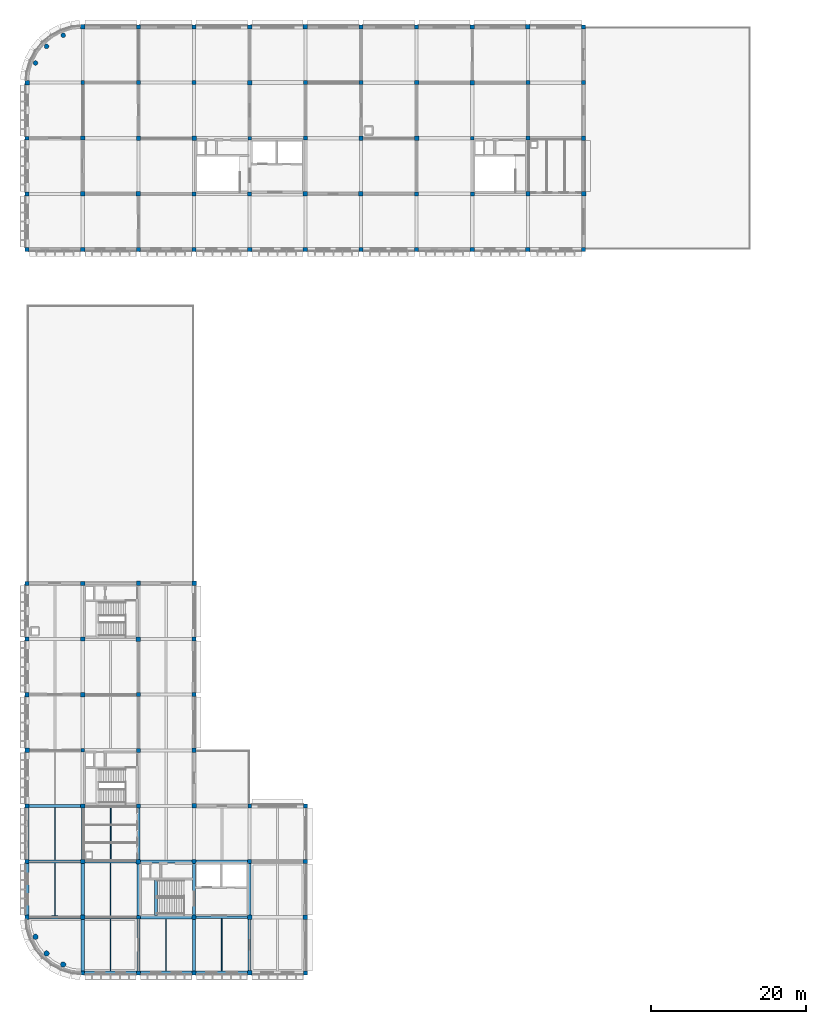
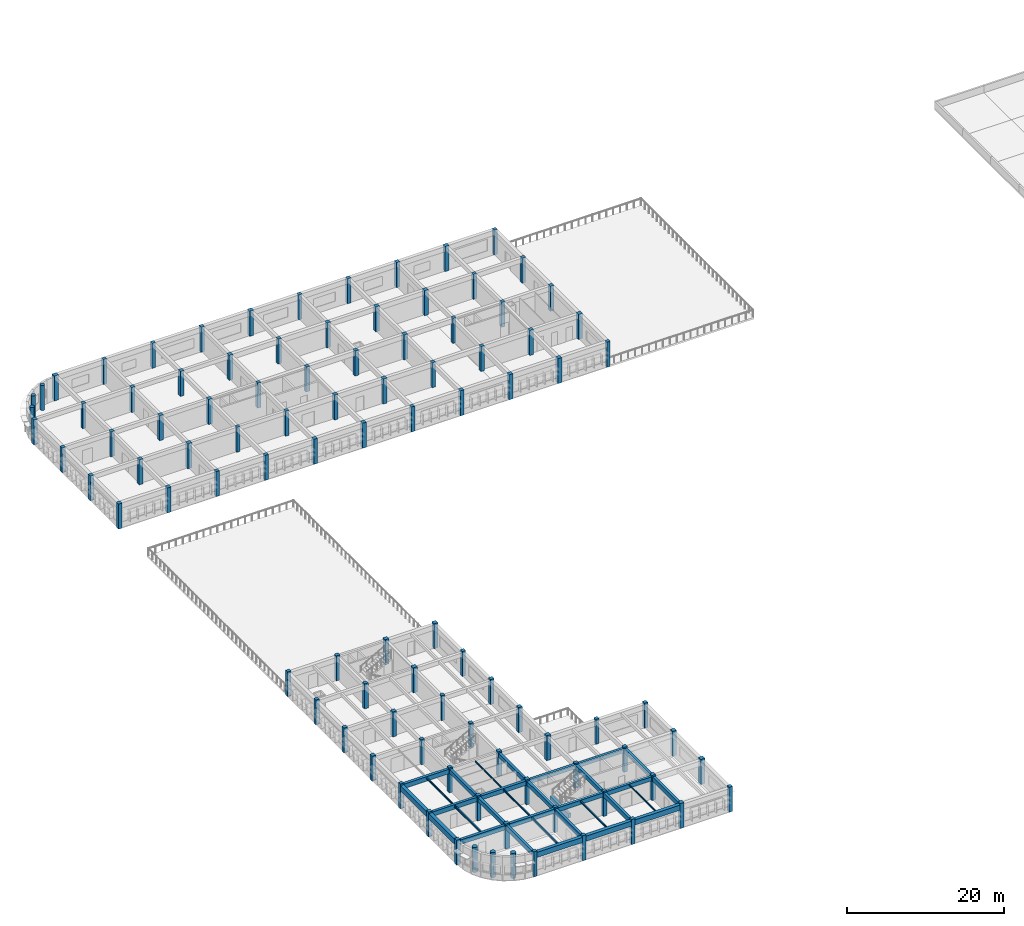
# One storey, part 1 of 22: 99 columns, 32 beams.
"""IFC4 building model written with IfcOpenShell, lengths in metres."""

from ifc_helpers import new_model, si_unit, direction, frame, origin, origin_2d, place, context, subcontext, project, spatial, rectangle, circle, i_section, extrude, material, material_profile, profile_set, type_object, element, save


model = new_model("IFC4")

# Units and contexts
model_context = context("Model", 3, precision=1e-05, world=origin(), true_north=direction((0.0, 1.0)))
body_context = subcontext(model_context, "Body", "Model", "MODEL_VIEW")
ifc_project = project(units=[si_unit("LENGTHUNIT", "METRE"), si_unit("AREAUNIT", "SQUARE_METRE"), si_unit("VOLUMEUNIT", "CUBIC_METRE"), si_unit("PLANEANGLEUNIT", "RADIAN"), si_unit("MASSUNIT", "GRAM", prefix="KILO")], contexts=[model_context])

# Site, building, storey
site_placement = place(None, origin())
site = spatial("IfcSite", under=ifc_project, at=site_placement, CompositionType="ELEMENT")
building_placement = place(site_placement, origin())
building = spatial("IfcBuilding", under=site, at=building_placement, Name="Thalmaran Polytechnic", CompositionType="ELEMENT")
storey_placement = place(building_placement, frame((0.0, 0.0, 22.800048828125)))
storey = spatial("IfcBuildingStorey", under=building, at=storey_placement, Name="L05", CompositionType="ELEMENT", Elevation=22.800048828125)

# Columns
ifc_material_1 = material(Name="Concrete C40/50", Category="concrete")
ifc_material_profile_1 = material_profile(ifc_material_1, rectangle(XDim=0.550048828125, YDim=0.550048828125, at=origin_2d()), Name="RC 550x550")
ifc_profile_set_1 = profile_set([ifc_material_profile_1], Name="Concrete C40/50")
column_type_1 = type_object("IfcColumnType", Name="COL-C08", PredefinedType="COLUMN", material=ifc_profile_set_1)
for number, where, z_axis, x_axis, name in (
    (1, (0.0, 7.199951171875, 0.0), (0.0, 0.0, 1.0), (1.0, 0.0, 0.0), "Column C08 L05 (0,1)"),
    (2, (0.0, 36.0, 0.0), (0.0, 0.0, 1.0), (1.0, 0.0, 0.0), "Column C08 L05 (0,5)"),
    (3, (0.0, 93.60009765625, 0.0), (0.0, 0.0, 1.0), (1.0, 0.0, 0.0), "Column C08 L05 (0,13)"),
    (4, (7.199951171875, 14.39990234375, 0.0), (0.0, 0.0, 1.0), (1.0, 0.0, 0.0), "Column C08 L05 (1,2)"),
    (5, (7.199951171875, 43.199951171875, 0.0), (0.0, 0.0, 1.0), (1.0, 0.0, 0.0), "Column C08 L05 (1,6)"),
    (6, (7.199951171875, 100.800048828125, 0.0), (0.0, 0.0, 1.0), (1.0, 0.0, 0.0), "Column C08 L05 (1,14)"),
    (7, (14.39990234375, 21.60009765625, 0.0), (0.0, 0.0, 1.0), (1.0, 0.0, 0.0), "Column C08 L05 (2,3)"),
    (8, (14.39990234375, 50.39990234375, 0.0), (0.0, 0.0, 1.0), (1.0, 0.0, 0.0), "Column C08 L05 (2,7)"),
    (9, (14.39990234375, 108.0, 0.0), (0.0, 0.0, 1.0), (1.0, 0.0, 0.0), "Column C08 L05 (2,15)"),
    (10, (21.60009765625, 0.0, 0.0), (0.0, 0.0, 1.0), (1.0, 0.0, 0.0), "Column C08 L05 (3,0)"),
    (11, (21.60009765625, 28.800048828125, 0.0), (0.0, 0.0, 1.0), (1.0, 0.0, 0.0), "Column C08 L05 (3,4)"),
    (12, (21.60009765625, 115.199951171875, 0.0), (0.0, 0.0, 1.0), (1.0, 0.0, 0.0), "Column C08 L05 (3,16)"),
    (13, (28.800048828125, 7.199951171875, 0.0), (0.0, 0.0, 1.0), (1.0, 0.0, 0.0), "Column C08 L05 (4,1)"),
    (14, (28.800048828125, 93.60009765625, 0.0), (0.0, 0.0, 1.0), (1.0, 0.0, 0.0), "Column C08 L05 (4,13)"),
    (15, (28.800048828125, 122.39990234375, 0.0), (0.0, 0.0, 1.0), (1.0, 0.0, 0.0), "Column C08 L05 (4,17)"),
    (16, (36.0, 14.39990234375, 0.0), (0.0, 0.0, 1.0), (1.0, 0.0, 0.0), "Column C08 L05 (5,2)"),
    (17, (36.0, 100.800048828125, 0.0), (0.0, 0.0, 1.0), (1.0, 0.0, 0.0), "Column C08 L05 (5,14)"),
    (18, (43.199951171875, 108.0, 0.0), (0.0, 0.0, 1.0), (1.0, 0.0, 0.0), "Column C08 L05 (6,15)"),
    (19, (50.39990234375, 115.199951171875, 0.0), (0.0, 0.0, 1.0), (1.0, 0.0, 0.0), "Column C08 L05 (7,16)"),
    (20, (57.60009765625, 93.60009765625, 0.0), (0.0, 0.0, 1.0), (1.0, 0.0, 0.0), "Column C08 L05 (8,13)"),
    (21, (57.60009765625, 122.39990234375, 0.0), (0.0, 0.0, 1.0), (1.0, 0.0, 0.0), "Column C08 L05 (8,17)"),
    (22, (64.800048828125, 100.800048828125, 0.0), (0.0, 0.0, 1.0), (1.0, 0.0, 0.0), "Column C08 L05 (9,14)"),
    (23, (72.0, 108.0, 0.0), (0.0, 0.0, 1.0), (1.0, 0.0, 0.0), "Column C08 L05 (10,15)"),
):
    element("IfcColumn", number, at=place(storey_placement, frame(where, z_axis=z_axis, x_axis=x_axis)), inside=storey, type_object=column_type_1, Name=name, PredefinedType="COLUMN", context=body_context, shape_type="SweptSolid", body=[
        extrude(rectangle(XDim=0.550048828125, YDim=0.550048828125, at=origin_2d()), origin(), (0.0, 0.0, 1.0), 3.89990234375),
    ])
ifc_material_profile_2 = material_profile(ifc_material_1, rectangle(XDim=0.5, YDim=0.5, at=origin_2d()), Name="RC 500x500")
ifc_profile_set_2 = profile_set([ifc_material_profile_2], Name="Concrete C40/50")
column_type_2 = type_object("IfcColumnType", Name="COL-C09", PredefinedType="COLUMN", material=ifc_profile_set_2)
for number, where, z_axis, x_axis, name in (
    (24, (0.0, 21.60009765625, 0.0), (0.0, 0.0, 1.0), (1.0, 0.0, 0.0), "Column C09 L05 (0,3)"),
    (25, (0.0, 50.39990234375, 0.0), (0.0, 0.0, 1.0), (1.0, 0.0, 0.0), "Column C09 L05 (0,7)"),
    (26, (0.0, 108.0, 0.0), (0.0, 0.0, 1.0), (1.0, 0.0, 0.0), "Column C09 L05 (0,15)"),
    (27, (7.199951171875, 0.0, 0.0), (0.0, 0.0, 1.0), (1.0, 0.0, 0.0), "Column C09 L05 (1,0)"),
    (28, (7.199951171875, 28.800048828125, 0.0), (0.0, 0.0, 1.0), (1.0, 0.0, 0.0), "Column C09 L05 (1,4)"),
    (29, (7.199951171875, 115.199951171875, 0.0), (0.0, 0.0, 1.0), (1.0, 0.0, 0.0), "Column C09 L05 (1,16)"),
    (30, (14.39990234375, 7.199951171875, 0.0), (0.0, 0.0, 1.0), (1.0, 0.0, 0.0), "Column C09 L05 (2,1)"),
    (31, (14.39990234375, 36.0, 0.0), (0.0, 0.0, 1.0), (1.0, 0.0, 0.0), "Column C09 L05 (2,5)"),
    (32, (14.39990234375, 93.60009765625, 0.0), (0.0, 0.0, 1.0), (1.0, 0.0, 0.0), "Column C09 L05 (2,13)"),
    (33, (14.39990234375, 122.39990234375, 0.0), (0.0, 0.0, 1.0), (1.0, 0.0, 0.0), "Column C09 L05 (2,17)"),
    (34, (21.60009765625, 14.39990234375, 0.0), (0.0, 0.0, 1.0), (1.0, 0.0, 0.0), "Column C09 L05 (3,2)"),
    (35, (21.60009765625, 43.199951171875, 0.0), (0.0, 0.0, 1.0), (1.0, 0.0, 0.0), "Column C09 L05 (3,6)"),
    (36, (21.60009765625, 100.800048828125, 0.0), (0.0, 0.0, 1.0), (1.0, 0.0, 0.0), "Column C09 L05 (3,14)"),
    (37, (28.800048828125, 21.60009765625, 0.0), (0.0, 0.0, 1.0), (1.0, 0.0, 0.0), "Column C09 L05 (4,3)"),
    (38, (28.800048828125, 108.0, 0.0), (0.0, 0.0, 1.0), (1.0, 0.0, 0.0), "Column C09 L05 (4,15)"),
    (39, (36.0, 0.0, 0.0), (0.0, 0.0, 1.0), (1.0, 0.0, 0.0), "Column C09 L05 (5,0)"),
    (40, (36.0, 115.199951171875, 0.0), (0.0, 0.0, 1.0), (1.0, 0.0, 0.0), "Column C09 L05 (5,16)"),
    (41, (43.199951171875, 93.60009765625, 0.0), (0.0, 0.0, 1.0), (1.0, 0.0, 0.0), "Column C09 L05 (6,13)"),
    (42, (43.199951171875, 122.39990234375, 0.0), (0.0, 0.0, 1.0), (1.0, 0.0, 0.0), "Column C09 L05 (6,17)"),
    (43, (50.39990234375, 100.800048828125, 0.0), (0.0, 0.0, 1.0), (1.0, 0.0, 0.0), "Column C09 L05 (7,14)"),
    (44, (57.60009765625, 108.0, 0.0), (0.0, 0.0, 1.0), (1.0, 0.0, 0.0), "Column C09 L05 (8,15)"),
    (45, (64.800048828125, 115.199951171875, 0.0), (0.0, 0.0, 1.0), (1.0, 0.0, 0.0), "Column C09 L05 (9,16)"),
    (46, (72.0, 93.60009765625, 0.0), (0.0, 0.0, 1.0), (1.0, 0.0, 0.0), "Column C09 L05 (10,13)"),
    (47, (72.0, 122.39990234375, 0.0), (0.0, 0.0, 1.0), (1.0, 0.0, 0.0), "Column C09 L05 (10,17)"),
):
    element("IfcColumn", number, at=place(storey_placement, frame(where, z_axis=z_axis, x_axis=x_axis)), inside=storey, type_object=column_type_2, Name=name, PredefinedType="COLUMN", context=body_context, shape_type="SweptSolid", body=[
        extrude(rectangle(XDim=0.5, YDim=0.5, at=origin_2d()), origin(), (0.0, 0.0, 1.0), 3.89990234375),
    ])
ifc_material_profile_3 = material_profile(ifc_material_1, circle(Radius=0.35009765625, at=origin_2d()), Name="RC 700 DIA")
ifc_profile_set_3 = profile_set([ifc_material_profile_3], Name="Concrete C40/50")
column_type_3 = type_object("IfcColumnType", Name="COL-C15", PredefinedType="COLUMN", material=ifc_profile_set_3)
for number, where, z_axis, x_axis, name in (
    (48, (1.083984375, 4.666748046875, 0.0), (0.0, 0.0, 1.0), (1.0, 0.0, 0.0), "Prow Column SWP1 L05"),
    (49, (2.51904296875, 2.51904296875, 0.0), (0.0, 0.0, 1.0), (1.0, 0.0, 0.0), "Prow Column SWP2 L05"),
    (50, (4.666748046875, 1.083984375, 0.0), (0.0, 0.0, 1.0), (1.0, 0.0, 0.0), "Prow Column SWP3 L05"),
):
    element("IfcColumn", number, at=place(storey_placement, frame(where, z_axis=z_axis, x_axis=x_axis)), inside=storey, type_object=column_type_3, Name=name, PredefinedType="COLUMN", context=body_context, shape_type="SweptSolid", body=[
        extrude(circle(Radius=0.35009765625, at=origin_2d()), origin(), (0.0, 0.0, 1.0), 3.89990234375),
    ])
ifc_material_profile_4 = material_profile(ifc_material_1, circle(Radius=0.300048828125, at=origin_2d()), Name="RC 600 DIA")
ifc_profile_set_4 = profile_set([ifc_material_profile_4], Name="Concrete C40/50")
column_type_4 = type_object("IfcColumnType", Name="COL-C16", PredefinedType="COLUMN", material=ifc_profile_set_4)
for number, where, z_axis, x_axis, name in (
    (51, (4.666748046875, 121.316162109375, 0.0), (0.0, 0.0, 1.0), (1.0, 0.0, 0.0), "Prow Column NWP1 L05"),
    (52, (2.51904296875, 119.881103515625, 0.0), (0.0, 0.0, 1.0), (1.0, 0.0, 0.0), "Prow Column NWP2 L05"),
    (53, (1.083984375, 117.7333984375, 0.0), (0.0, 0.0, 1.0), (1.0, 0.0, 0.0), "Prow Column NWP3 L05"),
):
    element("IfcColumn", number, at=place(storey_placement, frame(where, z_axis=z_axis, x_axis=x_axis)), inside=storey, type_object=column_type_4, Name=name, PredefinedType="COLUMN", context=body_context, shape_type="SweptSolid", body=[
        extrude(circle(Radius=0.300048828125, at=origin_2d()), origin(), (0.0, 0.0, 1.0), 3.89990234375),
    ])
ifc_material_profile_5 = material_profile(ifc_material_1, rectangle(XDim=0.580078125, YDim=0.580078125, at=origin_2d()), Name="RC 580x580")
ifc_profile_set_5 = profile_set([ifc_material_profile_5], Name="Concrete C40/50")
column_type_5 = type_object("IfcColumnType", Name="COL-ZC07", PredefinedType="COLUMN", material=ifc_profile_set_5)
for number, where, z_axis, x_axis, name in (
    (54, (0.0, 28.800048828125, 0.0), (0.0, 0.0, 1.0), (1.0, 0.0, 0.0), "Column ZC07 L05 (0,4)"),
    (55, (0.0, 115.199951171875, 0.0), (0.0, 0.0, 1.0), (1.0, 0.0, 0.0), "Column ZC07 L05 (0,16)"),
    (56, (7.199951171875, 7.199951171875, 0.0), (0.0, 0.0, 1.0), (1.0, 0.0, 0.0), "Column ZC07 L05 (1,1)"),
    (57, (7.199951171875, 36.0, 0.0), (0.0, 0.0, 1.0), (1.0, 0.0, 0.0), "Column ZC07 L05 (1,5)"),
    (58, (7.199951171875, 93.60009765625, 0.0), (0.0, 0.0, 1.0), (1.0, 0.0, 0.0), "Column ZC07 L05 (1,13)"),
    (59, (7.199951171875, 122.39990234375, 0.0), (0.0, 0.0, 1.0), (1.0, 0.0, 0.0), "Column ZC07 L05 (1,17)"),
    (60, (14.39990234375, 14.39990234375, 0.0), (0.0, 0.0, 1.0), (1.0, 0.0, 0.0), "Column ZC07 L05 (2,2)"),
    (61, (14.39990234375, 43.199951171875, 0.0), (0.0, 0.0, 1.0), (1.0, 0.0, 0.0), "Column ZC07 L05 (2,6)"),
    (62, (14.39990234375, 100.800048828125, 0.0), (0.0, 0.0, 1.0), (1.0, 0.0, 0.0), "Column ZC07 L05 (2,14)"),
    (63, (21.60009765625, 21.60009765625, 0.0), (0.0, 0.0, 1.0), (1.0, 0.0, 0.0), "Column ZC07 L05 (3,3)"),
    (64, (21.60009765625, 50.39990234375, 0.0), (0.0, 0.0, 1.0), (1.0, 0.0, 0.0), "Column ZC07 L05 (3,7)"),
    (65, (21.60009765625, 108.0, 0.0), (0.0, 0.0, 1.0), (1.0, 0.0, 0.0), "Column ZC07 L05 (3,15)"),
    (66, (28.800048828125, 0.0, 0.0), (0.0, 0.0, 1.0), (1.0, 0.0, 0.0), "Column ZC07 L05 (4,0)"),
    (67, (28.800048828125, 115.199951171875, 0.0), (0.0, 0.0, 1.0), (1.0, 0.0, 0.0), "Column ZC07 L05 (4,16)"),
    (68, (36.0, 7.199951171875, 0.0), (0.0, 0.0, 1.0), (1.0, 0.0, 0.0), "Column ZC07 L05 (5,1)"),
    (69, (36.0, 93.60009765625, 0.0), (0.0, 0.0, 1.0), (1.0, 0.0, 0.0), "Column ZC07 L05 (5,13)"),
    (70, (36.0, 122.39990234375, 0.0), (0.0, 0.0, 1.0), (1.0, 0.0, 0.0), "Column ZC07 L05 (5,17)"),
    (71, (43.199951171875, 100.800048828125, 0.0), (0.0, 0.0, 1.0), (1.0, 0.0, 0.0), "Column ZC07 L05 (6,14)"),
    (72, (50.39990234375, 108.0, 0.0), (0.0, 0.0, 1.0), (1.0, 0.0, 0.0), "Column ZC07 L05 (7,15)"),
    (73, (57.60009765625, 115.199951171875, 0.0), (0.0, 0.0, 1.0), (1.0, 0.0, 0.0), "Column ZC07 L05 (8,16)"),
    (74, (64.800048828125, 93.60009765625, 0.0), (0.0, 0.0, 1.0), (1.0, 0.0, 0.0), "Column ZC07 L05 (9,13)"),
    (75, (64.800048828125, 122.39990234375, 0.0), (0.0, 0.0, 1.0), (1.0, 0.0, 0.0), "Column ZC07 L05 (9,17)"),
    (76, (72.0, 100.800048828125, 0.0), (0.0, 0.0, 1.0), (1.0, 0.0, 0.0), "Column ZC07 L05 (10,14)"),
):
    element("IfcColumn", number, at=place(storey_placement, frame(where, z_axis=z_axis, x_axis=x_axis)), inside=storey, type_object=column_type_5, Name=name, PredefinedType="COLUMN", context=body_context, shape_type="SweptSolid", body=[
        extrude(rectangle(XDim=0.580078125, YDim=0.580078125, at=origin_2d()), origin(), (0.0, 0.0, 1.0), 3.89990234375),
    ])
ifc_material_profile_6 = material_profile(ifc_material_1, rectangle(XDim=0.52001953125, YDim=0.52001953125, at=origin_2d()), Name="RC 520x520")
ifc_profile_set_6 = profile_set([ifc_material_profile_6], Name="Concrete C40/50")
column_type_6 = type_object("IfcColumnType", Name="COL-ZC08", PredefinedType="COLUMN", material=ifc_profile_set_6)
for number, where, z_axis, x_axis, name in (
    (77, (0.0, 14.39990234375, 0.0), (0.0, 0.0, 1.0), (1.0, 0.0, 0.0), "Column ZC08 L05 (0,2)"),
    (78, (0.0, 43.199951171875, 0.0), (0.0, 0.0, 1.0), (1.0, 0.0, 0.0), "Column ZC08 L05 (0,6)"),
    (79, (0.0, 100.800048828125, 0.0), (0.0, 0.0, 1.0), (1.0, 0.0, 0.0), "Column ZC08 L05 (0,14)"),
    (80, (7.199951171875, 21.60009765625, 0.0), (0.0, 0.0, 1.0), (1.0, 0.0, 0.0), "Column ZC08 L05 (1,3)"),
    (81, (7.199951171875, 50.39990234375, 0.0), (0.0, 0.0, 1.0), (1.0, 0.0, 0.0), "Column ZC08 L05 (1,7)"),
    (82, (7.199951171875, 108.0, 0.0), (0.0, 0.0, 1.0), (1.0, 0.0, 0.0), "Column ZC08 L05 (1,15)"),
    (83, (14.39990234375, 0.0, 0.0), (0.0, 0.0, 1.0), (1.0, 0.0, 0.0), "Column ZC08 L05 (2,0)"),
    (84, (14.39990234375, 28.800048828125, 0.0), (0.0, 0.0, 1.0), (1.0, 0.0, 0.0), "Column ZC08 L05 (2,4)"),
    (85, (14.39990234375, 115.199951171875, 0.0), (0.0, 0.0, 1.0), (1.0, 0.0, 0.0), "Column ZC08 L05 (2,16)"),
    (86, (21.60009765625, 7.199951171875, 0.0), (0.0, 0.0, 1.0), (1.0, 0.0, 0.0), "Column ZC08 L05 (3,1)"),
    (87, (21.60009765625, 36.0, 0.0), (0.0, 0.0, 1.0), (1.0, 0.0, 0.0), "Column ZC08 L05 (3,5)"),
    (88, (21.60009765625, 93.60009765625, 0.0), (0.0, 0.0, 1.0), (1.0, 0.0, 0.0), "Column ZC08 L05 (3,13)"),
    (89, (21.60009765625, 122.39990234375, 0.0), (0.0, 0.0, 1.0), (1.0, 0.0, 0.0), "Column ZC08 L05 (3,17)"),
    (90, (28.800048828125, 14.39990234375, 0.0), (0.0, 0.0, 1.0), (1.0, 0.0, 0.0), "Column ZC08 L05 (4,2)"),
    (91, (28.800048828125, 100.800048828125, 0.0), (0.0, 0.0, 1.0), (1.0, 0.0, 0.0), "Column ZC08 L05 (4,14)"),
    (92, (36.0, 21.60009765625, 0.0), (0.0, 0.0, 1.0), (1.0, 0.0, 0.0), "Column ZC08 L05 (5,3)"),
    (93, (36.0, 108.0, 0.0), (0.0, 0.0, 1.0), (1.0, 0.0, 0.0), "Column ZC08 L05 (5,15)"),
    (94, (43.199951171875, 115.199951171875, 0.0), (0.0, 0.0, 1.0), (1.0, 0.0, 0.0), "Column ZC08 L05 (6,16)"),
    (95, (50.39990234375, 93.60009765625, 0.0), (0.0, 0.0, 1.0), (1.0, 0.0, 0.0), "Column ZC08 L05 (7,13)"),
    (96, (50.39990234375, 122.39990234375, 0.0), (0.0, 0.0, 1.0), (1.0, 0.0, 0.0), "Column ZC08 L05 (7,17)"),
    (97, (57.60009765625, 100.800048828125, 0.0), (0.0, 0.0, 1.0), (1.0, 0.0, 0.0), "Column ZC08 L05 (8,14)"),
    (98, (64.800048828125, 108.0, 0.0), (0.0, 0.0, 1.0), (1.0, 0.0, 0.0), "Column ZC08 L05 (9,15)"),
    (99, (72.0, 115.199951171875, 0.0), (0.0, 0.0, 1.0), (1.0, 0.0, 0.0), "Column ZC08 L05 (10,16)"),
):
    element("IfcColumn", number, at=place(storey_placement, frame(where, z_axis=z_axis, x_axis=x_axis)), inside=storey, type_object=column_type_6, Name=name, PredefinedType="COLUMN", context=body_context, shape_type="SweptSolid", body=[
        extrude(rectangle(XDim=0.52001953125, YDim=0.52001953125, at=origin_2d()), origin(), (0.0, 0.0, 1.0), 3.89990234375),
    ])

# Beams
ifc_material_profile_7 = material_profile(ifc_material_1, rectangle(XDim=0.39990234375, YDim=0.699951171875, at=origin_2d()), Name="RC 400x700")
ifc_profile_set_7 = profile_set([ifc_material_profile_7], Name="Concrete C40/50")
beam_type_1 = type_object("IfcBeamType", Name="BM-RC05", PredefinedType="BEAM", material=ifc_profile_set_7)
beam_1_placement = place(storey_placement, frame((0.27490234375, 7.199951171875, 3.320068359375), z_axis=(1.0, 0.0, 0.0), x_axis=(0.0, 1.0, 0.0)))
element("IfcBeam", 100, at=beam_1_placement, inside=storey, type_object=beam_type_1, Name="Grid Beam B05 L05 X(0,1)", PredefinedType="BEAM", context=body_context, shape_type="SweptSolid", body=[
    extrude(rectangle(XDim=0.39990234375, YDim=0.699951171875, at=origin_2d()), origin(), (0.0, 0.0, 1.0), 6.635009765625),
])
beam_2_placement = place(storey_placement, frame((0.260009765625, 14.39990234375, 3.320068359375), z_axis=(1.0, 0.0, 0.0), x_axis=(0.0, 1.0, 0.0)))
element("IfcBeam", 101, at=beam_2_placement, inside=storey, type_object=beam_type_1, Name="Grid Beam B05 L05 X(0,2)", PredefinedType="BEAM", context=body_context, shape_type="SweptSolid", body=[
    extrude(rectangle(XDim=0.39990234375, YDim=0.699951171875, at=origin_2d()), origin(), (0.0, 0.0, 1.0), 6.6650390625),
])
beam_3_placement = place(storey_placement, frame((0.25, 21.60009765625, 3.320068359375), z_axis=(1.0, 0.0, 0.0), x_axis=(0.0, 1.0, 0.0)))
element("IfcBeam", 102, at=beam_3_placement, inside=storey, type_object=beam_type_1, Name="Grid Beam B05 L05 X(0,3)", PredefinedType="BEAM", context=body_context, shape_type="SweptSolid", body=[
    extrude(rectangle(XDim=0.39990234375, YDim=0.699951171875, at=origin_2d()), origin(), (0.0, 0.0, 1.0), 6.68994140625),
])
ifc_material_profile_8 = material_profile(ifc_material_1, rectangle(XDim=0.39990234375, YDim=0.64990234375, at=origin_2d()), Name="RC 400x650")
ifc_profile_set_8 = profile_set([ifc_material_profile_8], Name="Concrete C40/50")
beam_type_2 = type_object("IfcBeamType", Name="BM-RC06", PredefinedType="BEAM", material=ifc_profile_set_8)
beam_4_placement = place(storey_placement, frame((14.64990234375, 7.199951171875, 3.344970703125), z_axis=(1.0, 0.0, 0.0), x_axis=(0.0, 1.0, 0.0)))
element("IfcBeam", 103, at=beam_4_placement, inside=storey, type_object=beam_type_2, Name="Grid Beam B06 L05 X(2,1)", PredefinedType="BEAM", context=body_context, shape_type="SweptSolid", body=[
    extrude(rectangle(XDim=0.39990234375, YDim=0.64990234375, at=origin_2d()), origin(), (0.0, 0.0, 1.0), 6.690185546875),
])
beam_5_placement = place(storey_placement, frame((14.68994140625, 14.39990234375, 3.344970703125), z_axis=(1.0, 0.0, 0.0), x_axis=(0.0, 1.0, 0.0)))
element("IfcBeam", 104, at=beam_5_placement, inside=storey, type_object=beam_type_2, Name="Grid Beam B06 L05 X(2,2)", PredefinedType="BEAM", context=body_context, shape_type="SweptSolid", body=[
    extrude(rectangle(XDim=0.39990234375, YDim=0.64990234375, at=origin_2d()), origin(), (0.0, 0.0, 1.0), 6.66015625),
])
ifc_material_profile_9 = material_profile(ifc_material_1, rectangle(XDim=0.39990234375, YDim=0.6298828125, at=origin_2d()), Name="RC 400x630")
ifc_profile_set_9 = profile_set([ifc_material_profile_9], Name="Concrete C40/50")
beam_type_3 = type_object("IfcBeamType", Name="BM-RC07", PredefinedType="BEAM", material=ifc_profile_set_9)
beam_6_placement = place(storey_placement, frame((7.199951171875, 7.489990234375, 3.35498046875), z_axis=(0.0, 1.0, 0.0), x_axis=(-1.0, 0.0, 0.0)))
element("IfcBeam", 105, at=beam_6_placement, inside=storey, type_object=beam_type_3, Name="Grid Beam B07 L05 Y(1,1)", PredefinedType="BEAM", context=body_context, shape_type="SweptSolid", body=[
    extrude(rectangle(XDim=0.39990234375, YDim=0.6298828125, at=origin_2d()), origin(), (0.0, 0.0, 1.0), 6.635009765625),
])
beam_7_placement = place(storey_placement, frame((14.39990234375, 7.449951171875, 3.35498046875), z_axis=(0.0, 1.0, 0.0), x_axis=(-1.0, 0.0, 0.0)))
element("IfcBeam", 106, at=beam_7_placement, inside=storey, type_object=beam_type_3, Name="Grid Beam B07 L05 Y(2,1)", PredefinedType="BEAM", context=body_context, shape_type="SweptSolid", body=[
    extrude(rectangle(XDim=0.39990234375, YDim=0.6298828125, at=origin_2d()), origin(), (0.0, 0.0, 1.0), 6.66015625),
])
beam_8_placement = place(storey_placement, frame((21.60009765625, 7.4599609375, 3.35498046875), z_axis=(0.0, 1.0, 0.0), x_axis=(-1.0, 0.0, 0.0)))
element("IfcBeam", 107, at=beam_8_placement, inside=storey, type_object=beam_type_3, Name="Grid Beam B07 L05 Y(3,1)", PredefinedType="BEAM", context=body_context, shape_type="SweptSolid", body=[
    extrude(rectangle(XDim=0.39990234375, YDim=0.6298828125, at=origin_2d()), origin(), (0.0, 0.0, 1.0), 6.68994140625),
])
beam_9_placement = place(storey_placement, frame((28.800048828125, 7.47509765625, 3.35498046875), z_axis=(0.0, 1.0, 0.0), x_axis=(-1.0, 0.0, 0.0)))
element("IfcBeam", 108, at=beam_9_placement, inside=storey, type_object=beam_type_3, Name="Grid Beam B07 L05 Y(4,1)", PredefinedType="BEAM", context=body_context, shape_type="SweptSolid", body=[
    extrude(rectangle(XDim=0.39990234375, YDim=0.6298828125, at=origin_2d()), origin(), (0.0, 0.0, 1.0), 6.664794921875),
])
ifc_material_profile_10 = material_profile(ifc_material_1, rectangle(XDim=0.389892578125, YDim=0.695068359375, at=origin_2d()), Name="RC 390x695")
ifc_profile_set_10 = profile_set([ifc_material_profile_10], Name="Concrete C40/50")
beam_type_4 = type_object("IfcBeamType", Name="BM-RC10", PredefinedType="BEAM", material=ifc_profile_set_10)
beam_10_placement = place(storey_placement, frame((7.199951171875, 0.25, 3.322509765625), z_axis=(0.0, 1.0, 0.0), x_axis=(-1.0, 0.0, 0.0)))
element("IfcBeam", 109, at=beam_10_placement, inside=storey, type_object=beam_type_4, Name="Grid Beam B10 L05 Y(1,0)", PredefinedType="BEAM", context=body_context, shape_type="SweptSolid", body=[
    extrude(rectangle(XDim=0.389892578125, YDim=0.695068359375, at=origin_2d()), origin(), (0.0, 0.0, 1.0), 6.659912109375),
])
beam_11_placement = place(storey_placement, frame((14.39990234375, 0.260009765625, 3.322509765625), z_axis=(0.0, 1.0, 0.0), x_axis=(-1.0, 0.0, 0.0)))
element("IfcBeam", 110, at=beam_11_placement, inside=storey, type_object=beam_type_4, Name="Grid Beam B10 L05 Y(2,0)", PredefinedType="BEAM", context=body_context, shape_type="SweptSolid", body=[
    extrude(rectangle(XDim=0.389892578125, YDim=0.695068359375, at=origin_2d()), origin(), (0.0, 0.0, 1.0), 6.68994140625),
])
beam_12_placement = place(storey_placement, frame((21.60009765625, 0.27490234375, 3.322509765625), z_axis=(0.0, 1.0, 0.0), x_axis=(-1.0, 0.0, 0.0)))
element("IfcBeam", 111, at=beam_12_placement, inside=storey, type_object=beam_type_4, Name="Grid Beam B10 L05 Y(3,0)", PredefinedType="BEAM", context=body_context, shape_type="SweptSolid", body=[
    extrude(rectangle(XDim=0.389892578125, YDim=0.695068359375, at=origin_2d()), origin(), (0.0, 0.0, 1.0), 6.6650390625),
])
beam_13_placement = place(storey_placement, frame((28.800048828125, 0.2900390625, 3.322509765625), z_axis=(0.0, 1.0, 0.0), x_axis=(-1.0, 0.0, 0.0)))
element("IfcBeam", 112, at=beam_13_placement, inside=storey, type_object=beam_type_4, Name="Grid Beam B10 L05 Y(4,0)", PredefinedType="BEAM", context=body_context, shape_type="SweptSolid", body=[
    extrude(rectangle(XDim=0.389892578125, YDim=0.695068359375, at=origin_2d()), origin(), (0.0, 0.0, 1.0), 6.635009765625),
])
beam_14_placement = place(storey_placement, frame((16.659912109375, 7.43994140625, 1.489990234375), z_axis=(0.0, 1.0, 0.0), x_axis=(-1.0, 0.0, 0.0)))
element("IfcBeam", 113, at=beam_14_placement, inside=storey, type_object=beam_type_4, Name="ST1 L05 Half-Landing Trimmer Beam", PredefinedType="BEAM", context=body_context, shape_type="SweptSolid", body=[
    extrude(rectangle(XDim=0.389892578125, YDim=0.695068359375, at=origin_2d()), origin(), (0.0, 0.0, 1.0), 4.699951171875),
])
ifc_material_2 = material(Name="Steel S355", Category="steel")
ifc_material_profile_11 = material_profile(ifc_material_2, i_section(OverallWidth=0.159912109375, OverallDepth=0.330078125, WebThickness=0.007568359375, FlangeThickness=0.011474609375, at=origin_2d()), Name="IPE 330")
ifc_profile_set_11 = profile_set([ifc_material_profile_11], Name="Steel S355")
beam_type_5 = type_object("IfcBeamType", Name="BM-SJ02", PredefinedType="JOIST", material=ifc_profile_set_11)
beam_15_placement = place(storey_placement, frame((3.60009765625, 7.39990234375, 3.5048828125), z_axis=(0.0, 1.0, 0.0), x_axis=(-1.0, 0.0, 0.0)))
element("IfcBeam", 114, at=beam_15_placement, inside=storey, type_object=beam_type_5, Name="Secondary Floor Rib SJ02 L05 (0,1)", PredefinedType="JOIST", context=body_context, shape_type="SweptSolid", body=[
    extrude(i_section(OverallWidth=0.159912109375, OverallDepth=0.330078125, WebThickness=0.007568359375, FlangeThickness=0.011474609375, at=origin_2d()), origin(), (0.0, 0.0, 1.0), 6.800048828125),
])
beam_16_placement = place(storey_placement, frame((10.800048828125, 0.25, 3.5048828125), z_axis=(0.0, 1.0, 0.0), x_axis=(-1.0, 0.0, 0.0)))
element("IfcBeam", 115, at=beam_16_placement, inside=storey, type_object=beam_type_5, Name="Secondary Floor Rib SJ02 L05 (1,0)", PredefinedType="JOIST", context=body_context, shape_type="SweptSolid", body=[
    extrude(i_section(OverallWidth=0.159912109375, OverallDepth=0.330078125, WebThickness=0.007568359375, FlangeThickness=0.011474609375, at=origin_2d()), origin(), (0.0, 0.0, 1.0), 6.739990234375),
])
ifc_material_profile_12 = material_profile(ifc_material_2, i_section(OverallWidth=0.135009765625, OverallDepth=0.27001953125, WebThickness=0.006591796875, FlangeThickness=0.01025390625, at=origin_2d()), Name="IPE 270")
ifc_profile_set_12 = profile_set([ifc_material_profile_12], Name="Steel S355")
beam_type_6 = type_object("IfcBeamType", Name="BM-SJ03", PredefinedType="JOIST", material=ifc_profile_set_12)
beam_17_placement = place(storey_placement, frame((3.60009765625, 14.60009765625, 3.534912109375), z_axis=(0.0, 1.0, 0.0), x_axis=(-1.0, 0.0, 0.0)))
element("IfcBeam", 116, at=beam_17_placement, inside=storey, type_object=beam_type_6, Name="Secondary Floor Rib SJ03 L05 (0,2)", PredefinedType="JOIST", context=body_context, shape_type="SweptSolid", body=[
    extrude(i_section(OverallWidth=0.135009765625, OverallDepth=0.27001953125, WebThickness=0.006591796875, FlangeThickness=0.01025390625, at=origin_2d()), origin(), (0.0, 0.0, 1.0), 6.7998046875),
])
beam_18_placement = place(storey_placement, frame((10.800048828125, 7.409912109375, 3.534912109375), z_axis=(0.0, 1.0, 0.0), x_axis=(-1.0, 0.0, 0.0)))
element("IfcBeam", 117, at=beam_18_placement, inside=storey, type_object=beam_type_6, Name="Secondary Floor Rib SJ03 L05 (1,1)", PredefinedType="JOIST", context=body_context, shape_type="SweptSolid", body=[
    extrude(i_section(OverallWidth=0.135009765625, OverallDepth=0.27001953125, WebThickness=0.006591796875, FlangeThickness=0.01025390625, at=origin_2d()), origin(), (0.0, 0.0, 1.0), 6.780029296875),
])
beam_19_placement = place(storey_placement, frame((18.0, 0.25, 3.534912109375), z_axis=(0.0, 1.0, 0.0), x_axis=(-1.0, 0.0, 0.0)))
element("IfcBeam", 118, at=beam_19_placement, inside=storey, type_object=beam_type_6, Name="Secondary Floor Rib SJ03 L05 (2,0)", PredefinedType="JOIST", context=body_context, shape_type="SweptSolid", body=[
    extrude(i_section(OverallWidth=0.135009765625, OverallDepth=0.27001953125, WebThickness=0.006591796875, FlangeThickness=0.01025390625, at=origin_2d()), origin(), (0.0, 0.0, 1.0), 6.75),
])
ifc_material_profile_13 = material_profile(ifc_material_2, i_section(OverallWidth=0.110107421875, OverallDepth=0.219970703125, WebThickness=0.005859375, FlangeThickness=0.00927734375, at=origin_2d()), Name="IPE 220")
ifc_profile_set_13 = profile_set([ifc_material_profile_13], Name="Steel S355")
beam_type_7 = type_object("IfcBeamType", Name="BM-SJ04", PredefinedType="JOIST", material=ifc_profile_set_13)
beam_20_placement = place(storey_placement, frame((10.800048828125, 14.610107421875, 3.56005859375), z_axis=(0.0, 1.0, 0.0), x_axis=(-1.0, 0.0, 0.0)))
element("IfcBeam", 119, at=beam_20_placement, inside=storey, type_object=beam_type_7, Name="Secondary Floor Rib SJ04 L05 (1,2)", PredefinedType="JOIST", context=body_context, shape_type="SweptSolid", body=[
    extrude(i_section(OverallWidth=0.110107421875, OverallDepth=0.219970703125, WebThickness=0.005859375, FlangeThickness=0.00927734375, at=origin_2d()), origin(), (0.0, 0.0, 1.0), 6.77978515625),
])
beam_21_placement = place(storey_placement, frame((25.199951171875, 0.25, 3.56005859375), z_axis=(0.0, 1.0, 0.0), x_axis=(-1.0, 0.0, 0.0)))
element("IfcBeam", 120, at=beam_21_placement, inside=storey, type_object=beam_type_7, Name="Secondary Floor Rib SJ04 L05 (3,0)", PredefinedType="JOIST", context=body_context, shape_type="SweptSolid", body=[
    extrude(i_section(OverallWidth=0.110107421875, OverallDepth=0.219970703125, WebThickness=0.005859375, FlangeThickness=0.00927734375, at=origin_2d()), origin(), (0.0, 0.0, 1.0), 6.760009765625),
])
ifc_material_profile_14 = material_profile(ifc_material_1, rectangle(XDim=0.5, YDim=0.804931640625, at=origin_2d()), Name="RC 500x805")
ifc_profile_set_14 = profile_set([ifc_material_profile_14], Name="Concrete C40/50")
beam_type_8 = type_object("IfcBeamType", Name="BM-SP03", PredefinedType="SPANDREL", material=ifc_profile_set_14)
beam_22_placement = place(storey_placement, frame((7.449951171875, 0.0, 3.267333984375), z_axis=(1.0, 0.0, 0.0), x_axis=(0.0, 1.0, 0.0)))
element("IfcBeam", 121, at=beam_22_placement, inside=storey, type_object=beam_type_8, Name="Grid Beam SP03 L05 X(1,0)", PredefinedType="SPANDREL", context=body_context, shape_type="SweptSolid", body=[
    extrude(rectangle(XDim=0.5, YDim=0.804931640625, at=origin_2d()), origin(), (0.0, 0.0, 1.0), 6.68994140625),
])
beam_23_placement = place(storey_placement, frame((14.659912109375, 0.0, 3.267333984375), z_axis=(1.0, 0.0, 0.0), x_axis=(0.0, 1.0, 0.0)))
element("IfcBeam", 122, at=beam_23_placement, inside=storey, type_object=beam_type_8, Name="Grid Beam SP03 L05 X(2,0)", PredefinedType="SPANDREL", context=body_context, shape_type="SweptSolid", body=[
    extrude(rectangle(XDim=0.5, YDim=0.804931640625, at=origin_2d()), origin(), (0.0, 0.0, 1.0), 6.6650390625),
])
beam_24_placement = place(storey_placement, frame((21.875, 0.0, 3.267333984375), z_axis=(1.0, 0.0, 0.0), x_axis=(0.0, 1.0, 0.0)))
element("IfcBeam", 123, at=beam_24_placement, inside=storey, type_object=beam_type_8, Name="Grid Beam SP03 L05 X(3,0)", PredefinedType="SPANDREL", context=body_context, shape_type="SweptSolid", body=[
    extrude(rectangle(XDim=0.5, YDim=0.804931640625, at=origin_2d()), origin(), (0.0, 0.0, 1.0), 6.635009765625),
])
beam_25_placement = place(storey_placement, frame((0.0, 7.47509765625, 3.267333984375), z_axis=(0.0, 1.0, 0.0), x_axis=(-1.0, 0.0, 0.0)))
element("IfcBeam", 124, at=beam_25_placement, inside=storey, type_object=beam_type_8, Name="Grid Beam SP03 L05 Y(0,1)", PredefinedType="SPANDREL", context=body_context, shape_type="SweptSolid", body=[
    extrude(rectangle(XDim=0.5, YDim=0.804931640625, at=origin_2d()), origin(), (0.0, 0.0, 1.0), 6.664794921875),
])
beam_26_placement = place(storey_placement, frame((0.0, 14.659912109375, 3.267333984375), z_axis=(0.0, 1.0, 0.0), x_axis=(-1.0, 0.0, 0.0)))
element("IfcBeam", 125, at=beam_26_placement, inside=storey, type_object=beam_type_8, Name="Grid Beam SP03 L05 Y(0,2)", PredefinedType="SPANDREL", context=body_context, shape_type="SweptSolid", body=[
    extrude(rectangle(XDim=0.5, YDim=0.804931640625, at=origin_2d()), origin(), (0.0, 0.0, 1.0), 6.690185546875),
])
ifc_material_profile_15 = material_profile(ifc_material_1, rectangle(XDim=0.419921875, YDim=0.659912109375, at=origin_2d()), Name="RC 420x660")
ifc_profile_set_15 = profile_set([ifc_material_profile_15], Name="Concrete C40/50")
beam_type_9 = type_object("IfcBeamType", Name="BM-ZB04", PredefinedType="BEAM", material=ifc_profile_set_15)
beam_27_placement = place(storey_placement, frame((7.489990234375, 7.199951171875, 3.33984375), z_axis=(1.0, 0.0, 0.0), x_axis=(0.0, 1.0, 0.0)))
element("IfcBeam", 126, at=beam_27_placement, inside=storey, type_object=beam_type_9, Name="Grid Beam ZB04 L05 X(1,1)", PredefinedType="BEAM", context=body_context, shape_type="SweptSolid", body=[
    extrude(rectangle(XDim=0.419921875, YDim=0.659912109375, at=origin_2d()), origin(), (0.0, 0.0, 1.0), 6.659912109375),
])
beam_28_placement = place(storey_placement, frame((7.47509765625, 14.39990234375, 3.33984375), z_axis=(1.0, 0.0, 0.0), x_axis=(0.0, 1.0, 0.0)))
element("IfcBeam", 127, at=beam_28_placement, inside=storey, type_object=beam_type_9, Name="Grid Beam ZB04 L05 X(1,2)", PredefinedType="BEAM", context=body_context, shape_type="SweptSolid", body=[
    extrude(rectangle(XDim=0.419921875, YDim=0.659912109375, at=origin_2d()), origin(), (0.0, 0.0, 1.0), 6.635009765625),
])
ifc_material_profile_16 = material_profile(ifc_material_1, rectangle(XDim=0.3798828125, YDim=0.639892578125, at=origin_2d()), Name="RC 380x640")
ifc_profile_set_16 = profile_set([ifc_material_profile_16], Name="Concrete C40/50")
beam_type_10 = type_object("IfcBeamType", Name="BM-ZB05", PredefinedType="BEAM", material=ifc_profile_set_16)
beam_29_placement = place(storey_placement, frame((21.860107421875, 7.199951171875, 3.349853515625), z_axis=(1.0, 0.0, 0.0), x_axis=(0.0, 1.0, 0.0)))
element("IfcBeam", 128, at=beam_29_placement, inside=storey, type_object=beam_type_10, Name="Grid Beam ZB05 L05 X(3,1)", PredefinedType="BEAM", context=body_context, shape_type="SweptSolid", body=[
    extrude(rectangle(XDim=0.3798828125, YDim=0.639892578125, at=origin_2d()), origin(), (0.0, 0.0, 1.0), 6.664794921875),
])
beam_30_placement = place(storey_placement, frame((21.85009765625, 14.39990234375, 3.349853515625), z_axis=(1.0, 0.0, 0.0), x_axis=(0.0, 1.0, 0.0)))
element("IfcBeam", 129, at=beam_30_placement, inside=storey, type_object=beam_type_10, Name="Grid Beam ZB05 L05 X(3,2)", PredefinedType="BEAM", context=body_context, shape_type="SweptSolid", body=[
    extrude(rectangle(XDim=0.3798828125, YDim=0.639892578125, at=origin_2d()), origin(), (0.0, 0.0, 1.0), 6.68994140625),
])
ifc_material_profile_17 = material_profile(ifc_material_1, rectangle(XDim=0.3798828125, YDim=0.635009765625, at=origin_2d()), Name="RC 380x635")
ifc_profile_set_17 = profile_set([ifc_material_profile_17], Name="Concrete C40/50")
beam_type_11 = type_object("IfcBeamType", Name="BM-ZB06", PredefinedType="BEAM", material=ifc_profile_set_17)
beam_31_placement = place(storey_placement, frame((7.199951171875, 14.675048828125, 3.3525390625), z_axis=(0.0, 1.0, 0.0), x_axis=(-1.0, 0.0, 0.0)))
element("IfcBeam", 130, at=beam_31_placement, inside=storey, type_object=beam_type_11, Name="Grid Beam ZB06 L05 Y(1,2)", PredefinedType="BEAM", context=body_context, shape_type="SweptSolid", body=[
    extrude(rectangle(XDim=0.3798828125, YDim=0.635009765625, at=origin_2d()), origin(), (0.0, 0.0, 1.0), 6.6650390625),
])
beam_32_placement = place(storey_placement, frame((14.39990234375, 14.68994140625, 3.3525390625), z_axis=(0.0, 1.0, 0.0), x_axis=(-1.0, 0.0, 0.0)))
element("IfcBeam", 131, at=beam_32_placement, inside=storey, type_object=beam_type_11, Name="Grid Beam ZB06 L05 Y(2,2)", PredefinedType="BEAM", context=body_context, shape_type="SweptSolid", body=[
    extrude(rectangle(XDim=0.3798828125, YDim=0.635009765625, at=origin_2d()), origin(), (0.0, 0.0, 1.0), 6.635009765625),
])

save(model, "model.ifc")
